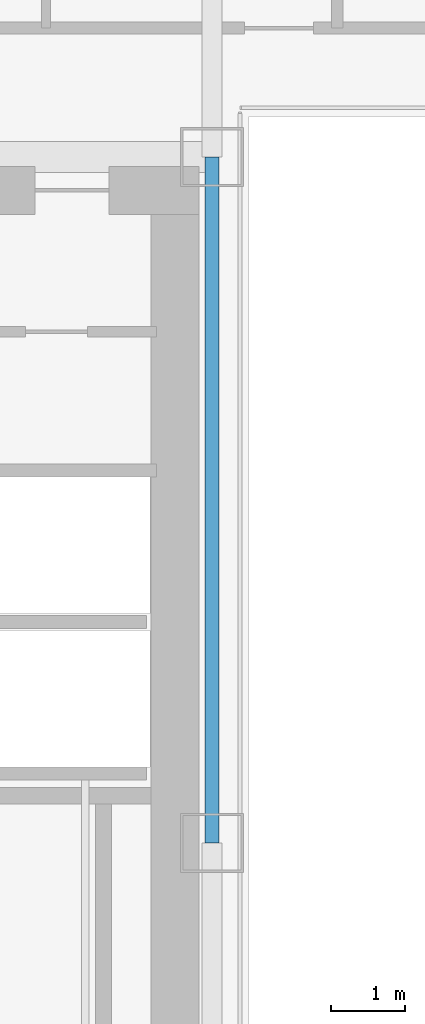
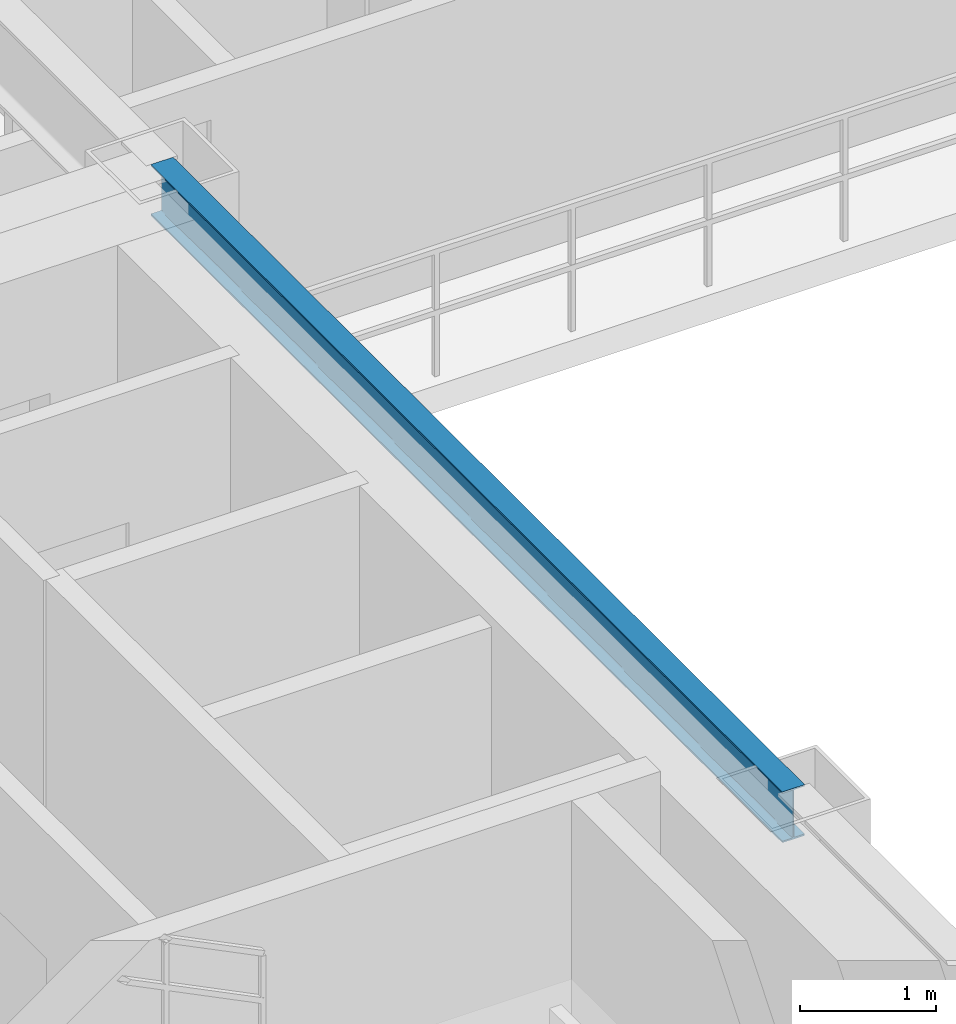
# One storey, part 9 of 36: 1 beam.
"""IFC4 building model written with IfcOpenShell, lengths in metres."""

from ifc_helpers import new_model, si_unit, direction, frame, origin, origin_2d, place, context, subcontext, project, spatial, i_section, extrude, source, transform, mapped, material, material_profile, profile_set, type_object, element, save


model = new_model("IFC4")

# Units and contexts
model_context = context("Model", 3, precision=1e-05, world=origin(), true_north=direction((0.0, 1.0)))
body_context = subcontext(model_context, "Body", "Model", "MODEL_VIEW")
ifc_project = project(units=[si_unit("LENGTHUNIT", "METRE"), si_unit("AREAUNIT", "SQUARE_METRE"), si_unit("VOLUMEUNIT", "CUBIC_METRE"), si_unit("PLANEANGLEUNIT", "RADIAN"), si_unit("MASSUNIT", "GRAM", prefix="KILO")], contexts=[model_context])

# Site, building, storey
site_placement = place(None, origin())
site = spatial("IfcSite", under=ifc_project, at=site_placement, CompositionType="ELEMENT")
building_placement = place(site_placement, origin())
building = spatial("IfcBuilding", under=site, at=building_placement, Name="Ocotamira Hotel", CompositionType="ELEMENT")
storey_placement = place(building_placement, frame((0.0, 0.0, 147.60009765625)))
storey = spatial("IfcBuildingStorey", under=building, at=storey_placement, Name="L37", CompositionType="ELEMENT", Elevation=147.60009765625)

# Beam
ifc_material = material(Name="Steel ASTM A992 Grade 50", Category="steel")
ifc_material_profile = material_profile(ifc_material, i_section(OverallWidth=0.18994140625, OverallDepth=0.45703125, WebThickness=0.009033203125, FlangeThickness=0.014404296875, FilletRadius=0.010009765625, at=origin_2d()), Name="W18X50")
ifc_profile_set = profile_set([ifc_material_profile], Name="Steel ASTM A992 Grade 50")
beam_type = type_object("IfcBeamType", Name="BM-SEC-W18X50", PredefinedType="JOIST", material=ifc_profile_set)
shared_shape = source(origin(), body_context, "Body", "SweptSolid", [
    extrude(i_section(OverallWidth=0.18994140625, OverallDepth=0.45703125, WebThickness=0.009033203125, FlangeThickness=0.014404296875, FilletRadius=0.010009765625, at=origin_2d()), origin(), (0.0, 0.0, 1.0), 9.300048828125),
])
beam_placement = place(storey_placement, frame((23.5, 28.14990234375, 3.051513671875), z_axis=(0.0, 1.0, 0.0), x_axis=(-1.0, 0.0, 0.0)))
element("IfcBeam", 1, at=beam_placement, inside=storey, type_object=beam_type, Name="L37 Beam X23.5 Y28.15-37.45", PredefinedType="JOIST", context=body_context, shape_type="MappedRepresentation", body=[
    mapped(shared_shape, transform((0.0, 0.0, 0.0), scale=1.0)),
])

save(model, "model.ifc")
